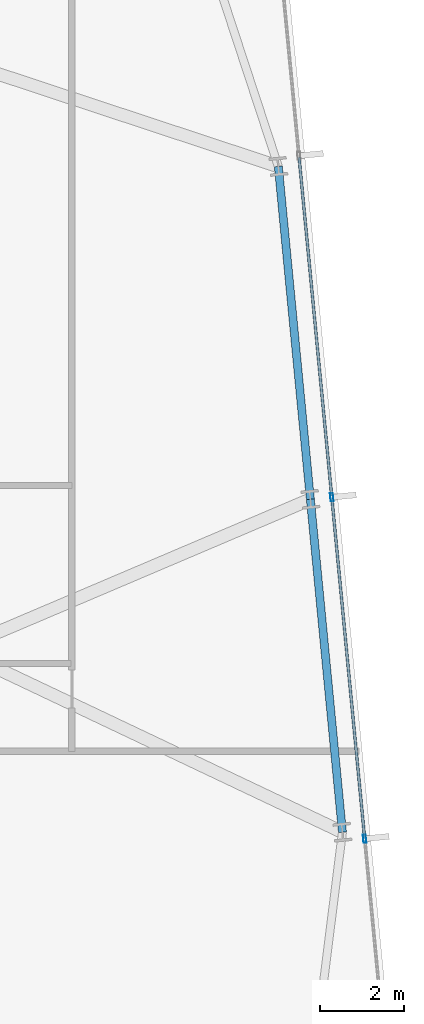
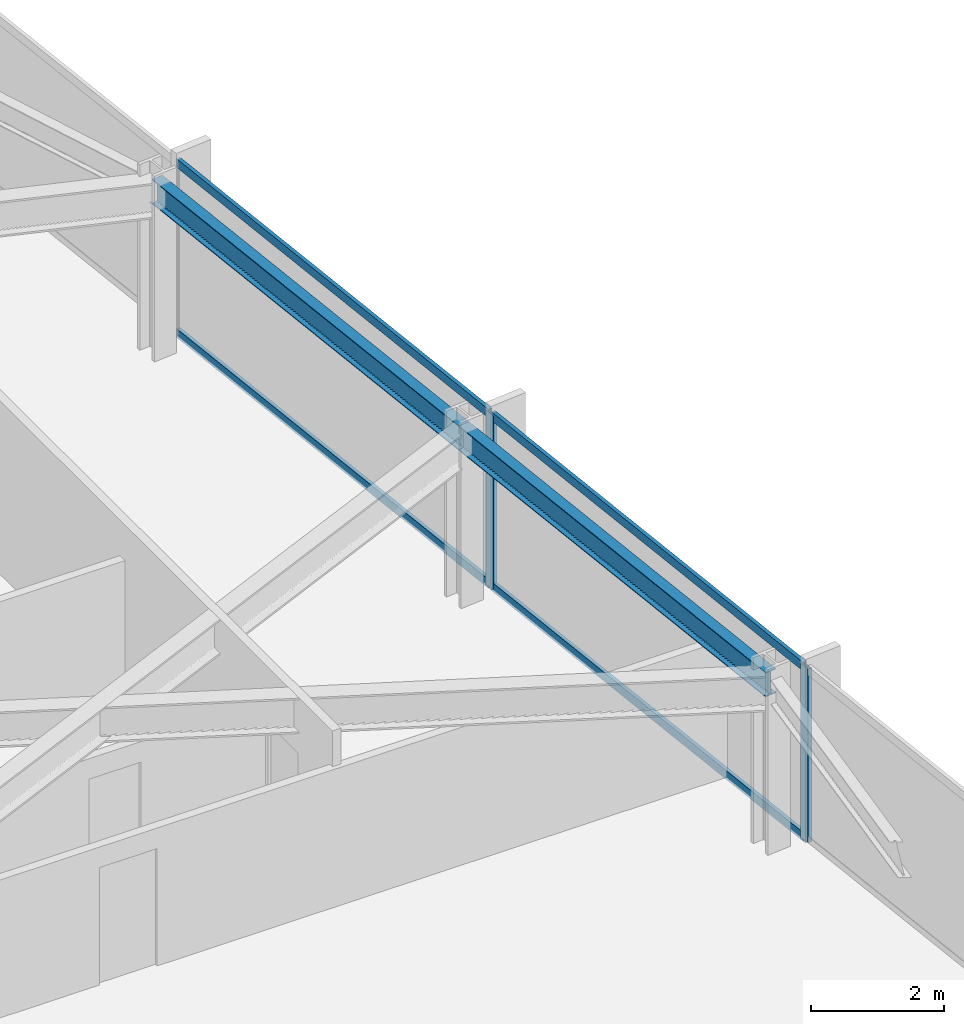
# One storey, part 16 of 33: 6 members, 2 beams, 1 element without a shape of its own.
"""IFC4 building model written with IfcOpenShell, lengths in metres."""

import ifcopenshell
import ifcopenshell.guid

model = None  # the IFC model being written
_history = None  # IfcOwnerHistory: only IFC2X3 demands one
_inside = {}  # id of a spatial element -> (the spatial element, [elements in it])
_under = {}  # id of a project, library or spatial element -> (it, [spatial elements below it])
_declared = {}  # id of a project -> (the project, [libraries it declares])
_typed = {}  # id of a type object -> (the type object, [elements of that type])
_made_of = {}  # id of a material, layer set ... -> (it, [elements and type objects made of it])


def new_model(schema):
    """Start an empty IFC model of exactly this schema.

    Asked for "IFC4X3", IfcOpenShell would pick the latest addendum, in which some entities
    have other attributes; the version numbers below select the first issue.
    IFC2X3 requires an IfcOwnerHistory on every rooted entity: one is made here for all.
    """
    global model, _history
    if schema == "IFC4X3":
        model = ifcopenshell.file(schema_version=(4, 3, 0, 0))
    else:
        model = ifcopenshell.file(schema=schema)
    _inside.clear()
    _under.clear()
    _declared.clear()
    _typed.clear()
    _made_of.clear()
    _history = None
    if model.schema == "IFC2X3":
        org = make("IfcOrganization", Name="unknown")
        user = make(
            "IfcPersonAndOrganization",
            ThePerson=make("IfcPerson", FamilyName="unknown"),
            TheOrganization=org,
        )
        app = make(
            "IfcApplication",
            ApplicationDeveloper=org,
            Version="unknown",
            ApplicationFullName="unknown",
            ApplicationIdentifier="unknown",
        )
        _history = make(
            "IfcOwnerHistory",
            OwningUser=user,
            OwningApplication=app,
            ChangeAction="ADDED",
            CreationDate=0,
        )
    return model


def make(cls, **values):
    """One entity of the class cls with the attributes given. An attribute that is None is left unset."""
    return model.create_entity(
        cls, **{name: value for name, value in values.items() if value is not None}
    )


def rooted(cls, **values):
    """An entity with a GlobalId (a new one), such as an element, a storey or a relation."""
    return make(cls, GlobalId=ifcopenshell.guid.new(), OwnerHistory=_history, **values)


def si_unit(unit_type, name, prefix=None):
    """IfcSIUnit, for example si_unit("LENGTHUNIT", "METRE", prefix="MILLI")."""
    return make("IfcSIUnit", UnitType=unit_type, Prefix=prefix, Name=name)


def assignment(units):
    """IfcUnitAssignment: the units of a project."""
    return None if units is None else make("IfcUnitAssignment", Units=units)


def point(xyz):
    """IfcCartesianPoint."""
    return None if xyz is None else make("IfcCartesianPoint", Coordinates=xyz)


def direction(xyz):
    """IfcDirection."""
    return None if xyz is None else make("IfcDirection", DirectionRatios=xyz)


def frame(location, z_axis=None, x_axis=None):
    """IfcAxis2Placement3D, a coordinate frame: its origin and axes. An axis left out is left unset."""
    return make(
        "IfcAxis2Placement3D",
        Location=point(location),
        Axis=direction(z_axis),
        RefDirection=direction(x_axis),
    )


def frame_2d(location, x_axis=None):
    """IfcAxis2Placement2D, a coordinate frame in the plane: its origin and x axis."""
    return make(
        "IfcAxis2Placement2D", Location=point(location), RefDirection=direction(x_axis)
    )


def origin():
    """The frame at (0, 0, 0) with its axes left unset."""
    return frame((0.0, 0.0, 0.0))


def origin_2d():
    """The frame at (0, 0) in the plane with its x axis left unset."""
    return frame_2d((0.0, 0.0))


def place(relative_to, where):
    """IfcLocalPlacement: puts the frame where relative to a parent placement (None: the world)."""
    return make(
        "IfcLocalPlacement", PlacementRelTo=relative_to, RelativePlacement=where
    )


def context(
    kind, dimensions, precision=None, world=None, true_north=None, identifier=None
):
    """IfcGeometricRepresentationContext, for example the 3D "Model" context."""
    return make(
        "IfcGeometricRepresentationContext",
        ContextIdentifier=identifier,
        ContextType=kind,
        CoordinateSpaceDimension=dimensions,
        Precision=precision,
        WorldCoordinateSystem=world,
        TrueNorth=true_north,
    )


def subcontext(parent, identifier, kind, view, scale=None):
    """IfcGeometricRepresentationSubContext, for example "Body" below "Model"."""
    return make(
        "IfcGeometricRepresentationSubContext",
        ContextIdentifier=identifier,
        ContextType=kind,
        ParentContext=parent,
        TargetScale=scale,
        TargetView=view,
    )


def project(units=None, contexts=None):
    """IfcProject with its units and contexts."""
    return rooted(
        "IfcProject",
        Name="project",
        RepresentationContexts=contexts,
        UnitsInContext=assignment(units),
    )


def spatial(cls, under=None, at=None, **own):
    """A site, building, storey or space (cls), placed at a placement, below another one or the project."""
    s = rooted(cls, ObjectPlacement=at, **own)
    if under is not None:
        _under.setdefault(under.id(), (under, []))[1].append(s)
    return s


def profile(cls, at=None, kind="AREA", **sizes):
    """A parametric profile (cls). Its sizes go by their IFC names, for example OverallWidth=200.0."""
    return make(cls, ProfileType=kind, Position=at, **sizes)


def hollow_rectangle(**sizes):
    """IfcRectangleHollowProfileDef."""
    return profile("IfcRectangleHollowProfileDef", **sizes)


def i_section(**sizes):
    """IfcIShapeProfileDef."""
    return profile("IfcIShapeProfileDef", **sizes)


def extrude(swept, where, along, depth):
    """IfcExtrudedAreaSolid: the profile swept, set in the frame where, extruded along a direction by depth."""
    return make(
        "IfcExtrudedAreaSolid",
        SweptArea=swept,
        Position=where,
        ExtrudedDirection=direction(along),
        Depth=depth,
    )


def shape(context_of_items, identifier, shape_type, items):
    """IfcShapeRepresentation: the items that make up one representation, for example the "Body"."""
    return make(
        "IfcShapeRepresentation",
        ContextOfItems=context_of_items,
        RepresentationIdentifier=identifier,
        RepresentationType=shape_type,
        Items=items,
    )


def material(Name=None, Category=None):
    """IfcMaterial."""
    return make("IfcMaterial", Name=Name, Category=Category)


def material_profile(
    of_material, cross_section, Name=None, Category=None, Priority=None
):
    """IfcMaterialProfile: a cross section and its material."""
    return make(
        "IfcMaterialProfile",
        Name=Name,
        Material=of_material,
        Profile=cross_section,
        Priority=Priority,
        Category=Category,
    )


def profile_set(profiles, Name=None, composite=None):
    """IfcMaterialProfileSet."""
    return make(
        "IfcMaterialProfileSet",
        Name=Name,
        MaterialProfiles=profiles,
        CompositeProfile=composite,
    )


def made_of(thing, what):
    """Note that an element or type object is made of a material, layer set ...; save() writes the relation."""
    if what is not None:
        _made_of.setdefault(what.id(), (what, []))[1].append(thing)
    return thing


def type_object(cls, material=None, **own):
    """A type object (cls), such as IfcWallType, which elements share."""
    return made_of(rooted(cls, **own), material)


def element(
    cls,
    number,
    at=None,
    inside=None,
    cuts=None,
    type_object=None,
    material=None,
    context=None,
    identifier="Body",
    shape_type=None,
    held_by="IfcProductDefinitionShape",
    body=None,
    shapes=None,
    **own,
):
    """One element of the class cls, such as IfcWall. Its Tag is "e" and its number.

    at: its placement. inside: the storey or other place that contains it. cuts: it is an
    opening in that element (IfcRelVoidsElement). A single representation is given by context,
    identifier, shape_type and body (its items); several are given by shapes. held_by: the class
    of the entity that holds the representations. save() writes the other relations.
    """
    e = rooted(cls, Tag="e%d" % number, ObjectPlacement=at, **own)
    if body is not None:
        shapes = [shape(context, identifier, shape_type, body)]
    if shapes is not None:
        e.Representation = make(held_by, Representations=shapes)
    if inside is not None:
        _inside.setdefault(inside.id(), (inside, []))[1].append(e)
    if cuts is not None:
        rooted(
            "IfcRelVoidsElement", RelatingBuildingElement=cuts, RelatedOpeningElement=e
        )
    if type_object is not None:
        _typed.setdefault(type_object.id(), (type_object, []))[1].append(e)
    return made_of(e, material)


def aggregate(whole, parts):
    """IfcRelAggregates: a whole, such as a stair, and the parts it consists of."""
    return rooted("IfcRelAggregates", RelatingObject=whole, RelatedObjects=parts)


def save(model, path):
    """Write the relations noted so far, then the file.

    IfcRelAggregates (storeys below a building ...), IfcRelContainedInSpatialStructure (elements
    in a storey), IfcRelDefinesByType, IfcRelAssociatesMaterial and IfcRelDeclares: one each for
    every whole, place, type object, material and project.
    """
    for whole, parts in _under.values():
        aggregate(whole, parts)
    for where, things in _inside.values():
        rooted(
            "IfcRelContainedInSpatialStructure",
            RelatedElements=things,
            RelatingStructure=where,
        )
    for kind, things in _typed.values():
        rooted("IfcRelDefinesByType", RelatedObjects=things, RelatingType=kind)
    for what, things in _made_of.values():
        rooted("IfcRelAssociatesMaterial", RelatedObjects=things, RelatingMaterial=what)
    for by, libraries in _declared.values():
        rooted("IfcRelDeclares", RelatingContext=by, RelatedDefinitions=libraries)
    model.write(path)


model = new_model("IFC4")

# Units and contexts
model_context = context("Model", 3, precision=1e-05, world=origin(), true_north=direction((0.0, 1.0)))
body_context = subcontext(model_context, "Body", "Model", "MODEL_VIEW")
ifc_project = project(units=[si_unit("LENGTHUNIT", "METRE"), si_unit("AREAUNIT", "SQUARE_METRE"), si_unit("VOLUMEUNIT", "CUBIC_METRE"), si_unit("PLANEANGLEUNIT", "RADIAN"), si_unit("MASSUNIT", "GRAM", prefix="KILO")], contexts=[model_context])

# Site, building, storey
site_placement = place(None, origin())
site = spatial("IfcSite", under=ifc_project, at=site_placement, CompositionType="ELEMENT")
building_placement = place(site_placement, origin())
building = spatial("IfcBuilding", under=site, at=building_placement, Name="Yelkora Congress Tower", CompositionType="ELEMENT")
storey_placement = place(building_placement, frame((0.0, 0.0, 110.10009765625)))
storey = spatial("IfcBuildingStorey", under=building, at=storey_placement, Name="L29", CompositionType="ELEMENT", Elevation=110.10009765625)

# Beams
ifc_material_1 = material(Name="Steel S355J2", Category="steel")
ifc_material_profile_1 = material_profile(ifc_material_1, i_section(OverallWidth=0.18994140625, OverallDepth=0.449951171875, WebThickness=0.009521484375, FlangeThickness=0.0146484375, FilletRadius=0.02099609375, at=origin_2d()), Name="IPE 450")
ifc_profile_set_1 = profile_set([ifc_material_profile_1], Name="Steel S355J2")
beam_type = type_object("IfcBeamType", Name="BM-SPAN-IPE450", PredefinedType="SPANDREL", material=ifc_profile_set_1)
beam_1_placement = place(storey_placement, frame((76.041259765625, 24.83349609375, 2.954833984375), z_axis=(-0.095839787071, 0.995396772757, 0.0), x_axis=(-0.995396772757, -0.095839787071, 0.0)))
element("IfcBeam", 1, at=beam_1_placement, inside=storey, type_object=beam_type, Name="L29 Perimeter Beam 11", PredefinedType="SPANDREL", context=body_context, shape_type="SweptSolid", body=[
    extrude(i_section(OverallWidth=0.18994140625, OverallDepth=0.449951171875, WebThickness=0.009521484375, FlangeThickness=0.0146484375, FilletRadius=0.02099609375, at=origin_2d()), origin(), (0.0, 0.0, 1.0), 7.9248046875),
])
beam_2_placement = place(storey_placement, frame((75.28173828125, 32.721923828125, 2.954833984375), z_axis=(-0.09583684824, 0.995397055712, 0.0), x_axis=(-0.995397055712, -0.09583684824, 0.0)))
element("IfcBeam", 2, at=beam_2_placement, inside=storey, type_object=beam_type, Name="L29 Perimeter Beam 12", PredefinedType="SPANDREL", context=body_context, shape_type="SweptSolid", body=[
    extrude(i_section(OverallWidth=0.18994140625, OverallDepth=0.449951171875, WebThickness=0.009521484375, FlangeThickness=0.0146484375, FilletRadius=0.02099609375, at=origin_2d()), origin(), (0.0, 0.0, 1.0), 7.925048828125),
])

# Curtain wall, members
ifc_material_2 = material(Name="Anodised aluminium and insulated glass", Category="aluminium")
curtain_wall_type = type_object("IfcCurtainWallType", Name="CW-SYS-B2", PredefinedType="NOTDEFINED", material=ifc_material_2)
curtain_wall_placement = place(storey_placement, origin())
curtain_wall = element("IfcCurtainWall", 3, at=curtain_wall_placement, inside=storey, type_object=curtain_wall_type, Name="L29 Unitised Curtain Wall 15", PredefinedType="NOTDEFINED")
ifc_material_3 = material(Name="Anodised aluminium 6063-T6", Category="aluminium")
ifc_material_profile_2 = material_profile(ifc_material_3, hollow_rectangle(XDim=0.070068359375, YDim=0.18994140625, WallThickness=0.00390625, at=origin_2d()), Name="ALU 70x190x4")
ifc_profile_set_2 = profile_set([ifc_material_profile_2], Name="Anodised aluminium 6063-T6")
member_type_1 = type_object("IfcMemberType", Name="MEM-ML-B2", PredefinedType="MULLION", material=ifc_profile_set_2)
member_1_placement = place(storey_placement, frame((75.789306640625, 32.770751953125, 0.0), z_axis=(0.0, 0.0, 1.0), x_axis=(0.995396507508, 0.095842541913, 0.0)))
member_1 = element("IfcMember", 4, at=member_1_placement, type_object=member_type_1, Name="CW-B2 mullion 3", PredefinedType="MULLION", context=body_context, shape_type="SweptSolid", body=[
    extrude(hollow_rectangle(XDim=0.070068359375, YDim=0.18994140625, WallThickness=0.00390625, at=origin_2d()), origin(), (0.0, 0.0, 1.0), 3.179931640625),
])
member_2_placement = place(storey_placement, frame((76.568603515625, 24.67822265625, 0.0), z_axis=(0.0, 0.0, 1.0), x_axis=(0.995396507508, 0.095842541913, 0.0)))
member_2 = element("IfcMember", 5, at=member_2_placement, type_object=member_type_1, Name="CW-B2 mullion 4", PredefinedType="MULLION", context=body_context, shape_type="SweptSolid", body=[
    extrude(hollow_rectangle(XDim=0.070068359375, YDim=0.18994140625, WallThickness=0.00390625, at=origin_2d()), origin(), (0.0, 0.0, 1.0), 3.179931640625),
])
ifc_material_profile_3 = material_profile(ifc_material_3, hollow_rectangle(XDim=0.06494140625, YDim=0.159912109375, WallThickness=0.00390625, at=origin_2d()), Name="ALU 65x160x4")
ifc_profile_set_3 = profile_set([ifc_material_profile_3], Name="Anodised aluminium 6063-T6")
member_type_2 = type_object("IfcMemberType", Name="MEM-TR-B2", PredefinedType="USERDEFINED", material=ifc_profile_set_3)
member_3_placement = place(storey_placement, frame((75.013427734375, 40.82861328125, 0.032470703125), z_axis=(0.095838228465, -0.995396922823, 0.0), x_axis=(0.995396922823, 0.095838228465, 0.0)))
member_3 = element("IfcMember", 6, at=member_3_placement, type_object=member_type_2, Name="CW-B2 transom 2.1", ObjectType="TRANSOM", PredefinedType="USERDEFINED", context=body_context, shape_type="SweptSolid", body=[
    extrude(hollow_rectangle(XDim=0.06494140625, YDim=0.159912109375, WallThickness=0.00390625, at=origin_2d()), origin(), (0.0, 0.0, 1.0), 8.06005859375),
])
member_4_placement = place(storey_placement, frame((75.013427734375, 40.82861328125, 3.1474609375), z_axis=(0.095838228465, -0.995396922823, 0.0), x_axis=(0.995396922823, 0.095838228465, 0.0)))
member_4 = element("IfcMember", 7, at=member_4_placement, type_object=member_type_2, Name="CW-B2 transom 2.2", ObjectType="TRANSOM", PredefinedType="USERDEFINED", context=body_context, shape_type="SweptSolid", body=[
    extrude(hollow_rectangle(XDim=0.06494140625, YDim=0.159912109375, WallThickness=0.00390625, at=origin_2d()), origin(), (0.0, 0.0, 1.0), 8.06005859375),
])
member_5_placement = place(storey_placement, frame((75.792724609375, 32.736083984375, 0.032470703125), z_axis=(0.095838228465, -0.995396922823, 0.0), x_axis=(0.995396922823, 0.095838228465, 0.0)))
member_5 = element("IfcMember", 8, at=member_5_placement, type_object=member_type_2, Name="CW-B2 transom 3.1", ObjectType="TRANSOM", PredefinedType="USERDEFINED", context=body_context, shape_type="SweptSolid", body=[
    extrude(hollow_rectangle(XDim=0.06494140625, YDim=0.159912109375, WallThickness=0.00390625, at=origin_2d()), origin(), (0.0, 0.0, 1.0), 8.06005859375),
])
member_6_placement = place(storey_placement, frame((75.792724609375, 32.736083984375, 3.1474609375), z_axis=(0.095838228465, -0.995396922823, 0.0), x_axis=(0.995396922823, 0.095838228465, 0.0)))
member_6 = element("IfcMember", 9, at=member_6_placement, type_object=member_type_2, Name="CW-B2 transom 3.2", ObjectType="TRANSOM", PredefinedType="USERDEFINED", context=body_context, shape_type="SweptSolid", body=[
    extrude(hollow_rectangle(XDim=0.06494140625, YDim=0.159912109375, WallThickness=0.00390625, at=origin_2d()), origin(), (0.0, 0.0, 1.0), 8.06005859375),
])
aggregate(curtain_wall, [member_1, member_2, member_3, member_4, member_5, member_6])

save(model, "model.ifc")
